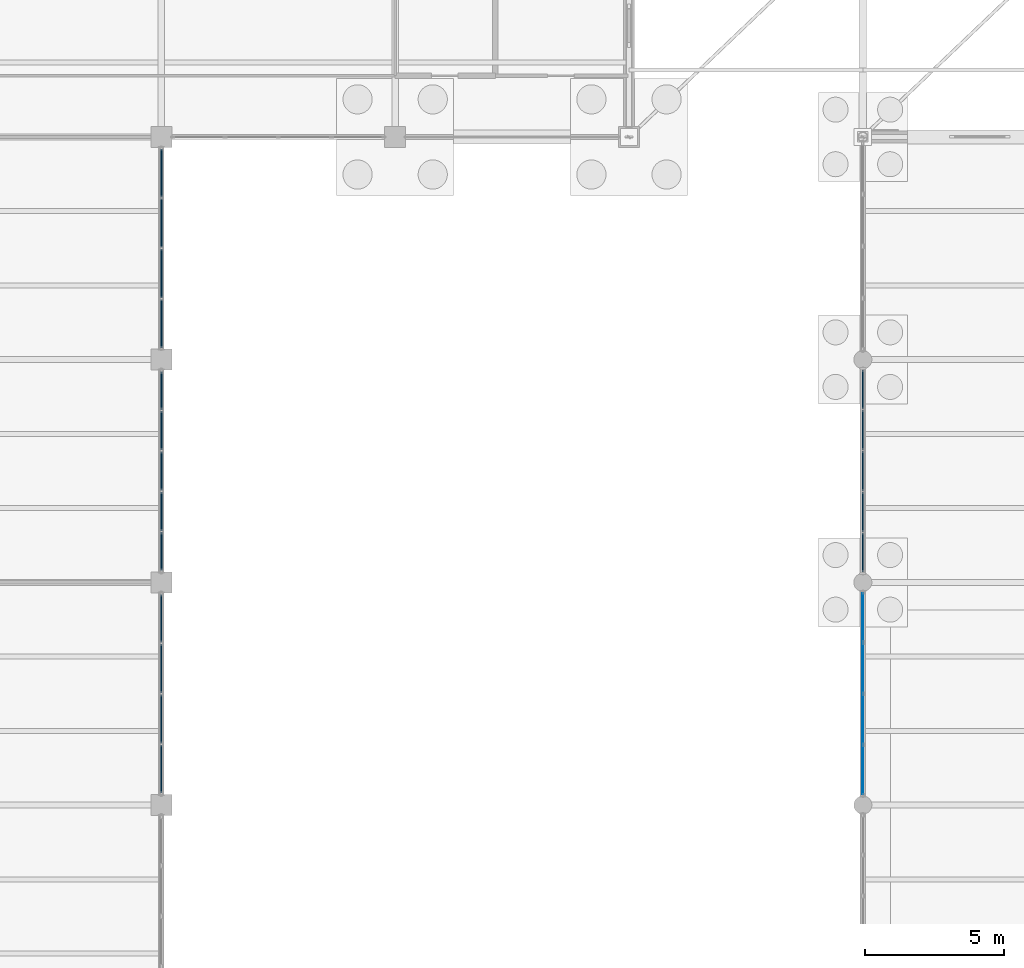
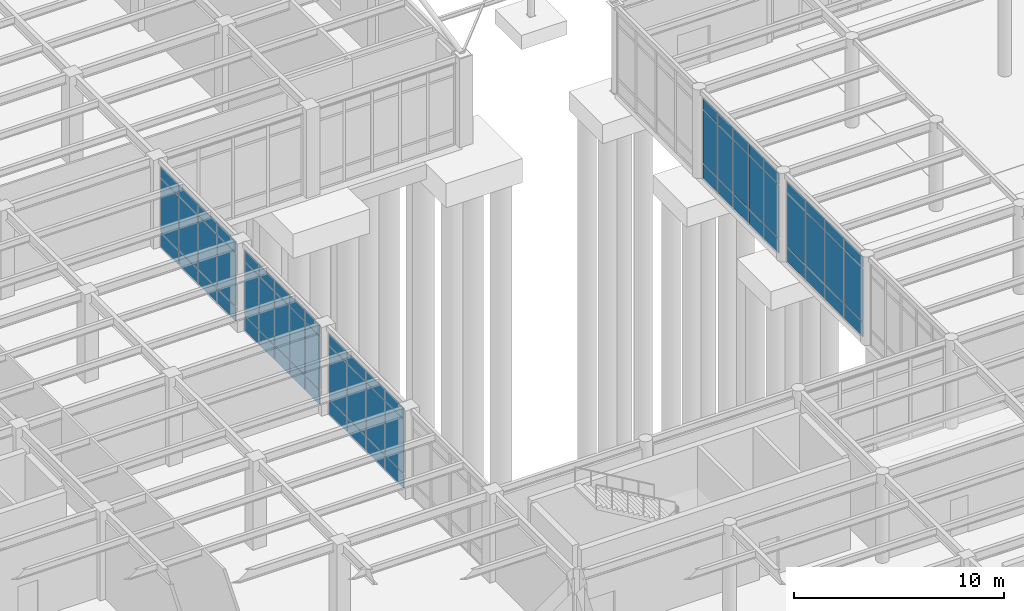
# One storey, part 68 of 138: 66 plates, 5 elements without a shape of their own.
"""IFC4 building model written with IfcOpenShell, lengths in metres."""

import ifcopenshell
import ifcopenshell.guid

model = None  # the IFC model being written
_history = None  # IfcOwnerHistory: only IFC2X3 demands one
_inside = {}  # id of a spatial element -> (the spatial element, [elements in it])
_under = {}  # id of a project, library or spatial element -> (it, [spatial elements below it])
_declared = {}  # id of a project -> (the project, [libraries it declares])
_typed = {}  # id of a type object -> (the type object, [elements of that type])
_made_of = {}  # id of a material, layer set ... -> (it, [elements and type objects made of it])


def new_model(schema):
    """Start an empty IFC model of exactly this schema.

    Asked for "IFC4X3", IfcOpenShell would pick the latest addendum, in which some entities
    have other attributes; the version numbers below select the first issue.
    IFC2X3 requires an IfcOwnerHistory on every rooted entity: one is made here for all.
    """
    global model, _history
    if schema == "IFC4X3":
        model = ifcopenshell.file(schema_version=(4, 3, 0, 0))
    else:
        model = ifcopenshell.file(schema=schema)
    _inside.clear()
    _under.clear()
    _declared.clear()
    _typed.clear()
    _made_of.clear()
    _history = None
    if model.schema == "IFC2X3":
        org = make("IfcOrganization", Name="unknown")
        user = make(
            "IfcPersonAndOrganization",
            ThePerson=make("IfcPerson", FamilyName="unknown"),
            TheOrganization=org,
        )
        app = make(
            "IfcApplication",
            ApplicationDeveloper=org,
            Version="unknown",
            ApplicationFullName="unknown",
            ApplicationIdentifier="unknown",
        )
        _history = make(
            "IfcOwnerHistory",
            OwningUser=user,
            OwningApplication=app,
            ChangeAction="ADDED",
            CreationDate=0,
        )
    return model


def make(cls, **values):
    """One entity of the class cls with the attributes given. An attribute that is None is left unset."""
    return model.create_entity(
        cls, **{name: value for name, value in values.items() if value is not None}
    )


def rooted(cls, **values):
    """An entity with a GlobalId (a new one), such as an element, a storey or a relation."""
    return make(cls, GlobalId=ifcopenshell.guid.new(), OwnerHistory=_history, **values)


def si_unit(unit_type, name, prefix=None):
    """IfcSIUnit, for example si_unit("LENGTHUNIT", "METRE", prefix="MILLI")."""
    return make("IfcSIUnit", UnitType=unit_type, Prefix=prefix, Name=name)


def assignment(units):
    """IfcUnitAssignment: the units of a project."""
    return None if units is None else make("IfcUnitAssignment", Units=units)


def point(xyz):
    """IfcCartesianPoint."""
    return None if xyz is None else make("IfcCartesianPoint", Coordinates=xyz)


def direction(xyz):
    """IfcDirection."""
    return None if xyz is None else make("IfcDirection", DirectionRatios=xyz)


def frame(location, z_axis=None, x_axis=None):
    """IfcAxis2Placement3D, a coordinate frame: its origin and axes. An axis left out is left unset."""
    return make(
        "IfcAxis2Placement3D",
        Location=point(location),
        Axis=direction(z_axis),
        RefDirection=direction(x_axis),
    )


def frame_2d(location, x_axis=None):
    """IfcAxis2Placement2D, a coordinate frame in the plane: its origin and x axis."""
    return make(
        "IfcAxis2Placement2D", Location=point(location), RefDirection=direction(x_axis)
    )


def origin():
    """The frame at (0, 0, 0) with its axes left unset."""
    return frame((0.0, 0.0, 0.0))


def origin_2d():
    """The frame at (0, 0) in the plane with its x axis left unset."""
    return frame_2d((0.0, 0.0))


def place(relative_to, where):
    """IfcLocalPlacement: puts the frame where relative to a parent placement (None: the world)."""
    return make(
        "IfcLocalPlacement", PlacementRelTo=relative_to, RelativePlacement=where
    )


def context(
    kind, dimensions, precision=None, world=None, true_north=None, identifier=None
):
    """IfcGeometricRepresentationContext, for example the 3D "Model" context."""
    return make(
        "IfcGeometricRepresentationContext",
        ContextIdentifier=identifier,
        ContextType=kind,
        CoordinateSpaceDimension=dimensions,
        Precision=precision,
        WorldCoordinateSystem=world,
        TrueNorth=true_north,
    )


def subcontext(parent, identifier, kind, view, scale=None):
    """IfcGeometricRepresentationSubContext, for example "Body" below "Model"."""
    return make(
        "IfcGeometricRepresentationSubContext",
        ContextIdentifier=identifier,
        ContextType=kind,
        ParentContext=parent,
        TargetScale=scale,
        TargetView=view,
    )


def project(units=None, contexts=None):
    """IfcProject with its units and contexts."""
    return rooted(
        "IfcProject",
        Name="project",
        RepresentationContexts=contexts,
        UnitsInContext=assignment(units),
    )


def spatial(cls, under=None, at=None, **own):
    """A site, building, storey or space (cls), placed at a placement, below another one or the project."""
    s = rooted(cls, ObjectPlacement=at, **own)
    if under is not None:
        _under.setdefault(under.id(), (under, []))[1].append(s)
    return s


def profile(cls, at=None, kind="AREA", **sizes):
    """A parametric profile (cls). Its sizes go by their IFC names, for example OverallWidth=200.0."""
    return make(cls, ProfileType=kind, Position=at, **sizes)


def rectangle(**sizes):
    """IfcRectangleProfileDef."""
    return profile("IfcRectangleProfileDef", **sizes)


def extrude(swept, where, along, depth):
    """IfcExtrudedAreaSolid: the profile swept, set in the frame where, extruded along a direction by depth."""
    return make(
        "IfcExtrudedAreaSolid",
        SweptArea=swept,
        Position=where,
        ExtrudedDirection=direction(along),
        Depth=depth,
    )


def shape(context_of_items, identifier, shape_type, items):
    """IfcShapeRepresentation: the items that make up one representation, for example the "Body"."""
    return make(
        "IfcShapeRepresentation",
        ContextOfItems=context_of_items,
        RepresentationIdentifier=identifier,
        RepresentationType=shape_type,
        Items=items,
    )


def material(Name=None, Category=None):
    """IfcMaterial."""
    return make("IfcMaterial", Name=Name, Category=Category)


def layer(
    of_material, thickness, ventilated=None, Name=None, Category=None, Priority=None
):
    """IfcMaterialLayer: one layer of a wall or slab, of a material (None: an air gap)."""
    return make(
        "IfcMaterialLayer",
        Material=of_material,
        LayerThickness=thickness,
        IsVentilated=ventilated,
        Name=Name,
        Category=Category,
        Priority=Priority,
    )


def layer_set(layers, Name=None):
    """IfcMaterialLayerSet."""
    return make("IfcMaterialLayerSet", MaterialLayers=layers, LayerSetName=Name)


def made_of(thing, what):
    """Note that an element or type object is made of a material, layer set ...; save() writes the relation."""
    if what is not None:
        _made_of.setdefault(what.id(), (what, []))[1].append(thing)
    return thing


def type_object(cls, material=None, **own):
    """A type object (cls), such as IfcWallType, which elements share."""
    return made_of(rooted(cls, **own), material)


def element(
    cls,
    number,
    at=None,
    inside=None,
    cuts=None,
    type_object=None,
    material=None,
    context=None,
    identifier="Body",
    shape_type=None,
    held_by="IfcProductDefinitionShape",
    body=None,
    shapes=None,
    **own,
):
    """One element of the class cls, such as IfcWall. Its Tag is "e" and its number.

    at: its placement. inside: the storey or other place that contains it. cuts: it is an
    opening in that element (IfcRelVoidsElement). A single representation is given by context,
    identifier, shape_type and body (its items); several are given by shapes. held_by: the class
    of the entity that holds the representations. save() writes the other relations.
    """
    e = rooted(cls, Tag="e%d" % number, ObjectPlacement=at, **own)
    if body is not None:
        shapes = [shape(context, identifier, shape_type, body)]
    if shapes is not None:
        e.Representation = make(held_by, Representations=shapes)
    if inside is not None:
        _inside.setdefault(inside.id(), (inside, []))[1].append(e)
    if cuts is not None:
        rooted(
            "IfcRelVoidsElement", RelatingBuildingElement=cuts, RelatedOpeningElement=e
        )
    if type_object is not None:
        _typed.setdefault(type_object.id(), (type_object, []))[1].append(e)
    return made_of(e, material)


def aggregate(whole, parts):
    """IfcRelAggregates: a whole, such as a stair, and the parts it consists of."""
    return rooted("IfcRelAggregates", RelatingObject=whole, RelatedObjects=parts)


def save(model, path):
    """Write the relations noted so far, then the file.

    IfcRelAggregates (storeys below a building ...), IfcRelContainedInSpatialStructure (elements
    in a storey), IfcRelDefinesByType, IfcRelAssociatesMaterial and IfcRelDeclares: one each for
    every whole, place, type object, material and project.
    """
    for whole, parts in _under.values():
        aggregate(whole, parts)
    for where, things in _inside.values():
        rooted(
            "IfcRelContainedInSpatialStructure",
            RelatedElements=things,
            RelatingStructure=where,
        )
    for kind, things in _typed.values():
        rooted("IfcRelDefinesByType", RelatedObjects=things, RelatingType=kind)
    for what, things in _made_of.values():
        rooted("IfcRelAssociatesMaterial", RelatedObjects=things, RelatingMaterial=what)
    for by, libraries in _declared.values():
        rooted("IfcRelDeclares", RelatingContext=by, RelatedDefinitions=libraries)
    model.write(path)


model = new_model("IFC4")

# Units and contexts
model_context = context("Model", 3, precision=1e-05, world=origin(), true_north=direction((0.0, 1.0)))
body_context = subcontext(model_context, "Body", "Model", "MODEL_VIEW")
ifc_project = project(units=[si_unit("LENGTHUNIT", "METRE"), si_unit("AREAUNIT", "SQUARE_METRE"), si_unit("VOLUMEUNIT", "CUBIC_METRE"), si_unit("PLANEANGLEUNIT", "RADIAN"), si_unit("MASSUNIT", "GRAM", prefix="KILO")], contexts=[model_context])

# Site, building, storey
site_placement = place(None, origin())
site = spatial("IfcSite", under=ifc_project, at=site_placement, CompositionType="ELEMENT")
building_placement = place(site_placement, origin())
building = spatial("IfcBuilding", under=site, at=building_placement, Name="Kranzveld Transit Interchange", CompositionType="ELEMENT")
storey_placement = place(building_placement, origin())
storey = spatial("IfcBuildingStorey", under=building, at=storey_placement, Name="L00", CompositionType="ELEMENT", Elevation=0.0)

# Curtain wall, plates
ifc_material_1 = material(Name="Bronze-anodised thermally broken aluminium", Category="aluminium")
ifc_layer_1 = layer(ifc_material_1, 0.159912109375)
ifc_layer_set_1 = layer_set([ifc_layer_1], Name="Bronze-anodised thermally broken aluminium")
curtain_wall_type_1 = type_object("IfcCurtainWallType", Name="Bus Boarding Glazed Screen CW-3", PredefinedType="USERDEFINED", material=ifc_layer_set_1)
curtain_wall_1_placement = place(storey_placement, origin())
curtain_wall_1 = element("IfcCurtainWall", 1, at=curtain_wall_1_placement, inside=storey, type_object=curtain_wall_type_1, Name="L00 Curtain Wall 08/J-08/K", ObjectType="CURTAIN WALL", PredefinedType="USERDEFINED")
ifc_material_2 = material(Name="Solar-control double glazing", Category="glass")
ifc_layer_2 = layer(ifc_material_2, 0.031982421875)
ifc_layer_set_2 = layer_set([ifc_layer_2], Name="Solar-control double glazing")
plate_type_1 = type_object("IfcPlateType", Name="Curtain Panel Acoustic Glazing 32", PredefinedType="CURTAIN_PANEL", material=ifc_layer_set_2)
plate_1_placement = place(storey_placement, frame((58.800048828125, 65.2587890625, 0.06005859375), z_axis=(0.0, 0.0, 1.0), x_axis=(0.0, 1.0, 0.0)))
plate_1 = element("IfcPlate", 2, at=plate_1_placement, type_object=plate_type_1, Name="CW-3 panel 1.1", PredefinedType="CURTAIN_PANEL", context=body_context, shape_type="SweptSolid", body=[
    extrude(rectangle(XDim=1.74755859375, YDim=0.031982421875, at=origin_2d()), origin(), (0.0, 0.0, 1.0), 0.81005859375),
])
plate_2_placement = place(storey_placement, frame((58.800048828125, 65.2587890625, 0.929931640625), z_axis=(0.0, 0.0, 1.0), x_axis=(0.0, 1.0, 0.0)))
plate_2 = element("IfcPlate", 3, at=plate_2_placement, type_object=plate_type_1, Name="CW-3 panel 1.2", PredefinedType="CURTAIN_PANEL", context=body_context, shape_type="SweptSolid", body=[
    extrude(rectangle(XDim=1.74755859375, YDim=0.031982421875, at=origin_2d()), origin(), (0.0, 0.0, 1.0), 3.08740234375),
])
plate_3_placement = place(storey_placement, frame((58.800048828125, 65.2587890625, 4.0771484375), z_axis=(0.0, 0.0, 1.0), x_axis=(0.0, 1.0, 0.0)))
plate_3 = element("IfcPlate", 4, at=plate_3_placement, type_object=plate_type_1, Name="CW-3 panel 1.3", PredefinedType="CURTAIN_PANEL", context=body_context, shape_type="SweptSolid", body=[
    extrude(rectangle(XDim=1.74755859375, YDim=0.031982421875, at=origin_2d()), origin(), (0.0, 0.0, 1.0), 0.610107421875),
])
plate_4_placement = place(storey_placement, frame((58.800048828125, 67.081298828125, 0.06005859375), z_axis=(0.0, 0.0, 1.0), x_axis=(0.0, 1.0, 0.0)))
plate_4 = element("IfcPlate", 5, at=plate_4_placement, type_object=plate_type_1, Name="CW-3 panel 2.1", PredefinedType="CURTAIN_PANEL", context=body_context, shape_type="SweptSolid", body=[
    extrude(rectangle(XDim=1.777587890625, YDim=0.031982421875, at=origin_2d()), origin(), (0.0, 0.0, 1.0), 0.81005859375),
])
plate_5_placement = place(storey_placement, frame((58.800048828125, 67.081298828125, 0.929931640625), z_axis=(0.0, 0.0, 1.0), x_axis=(0.0, 1.0, 0.0)))
plate_5 = element("IfcPlate", 6, at=plate_5_placement, type_object=plate_type_1, Name="CW-3 panel 2.2", PredefinedType="CURTAIN_PANEL", context=body_context, shape_type="SweptSolid", body=[
    extrude(rectangle(XDim=1.777587890625, YDim=0.031982421875, at=origin_2d()), origin(), (0.0, 0.0, 1.0), 3.08740234375),
])
plate_6_placement = place(storey_placement, frame((58.800048828125, 67.081298828125, 4.0771484375), z_axis=(0.0, 0.0, 1.0), x_axis=(0.0, 1.0, 0.0)))
plate_6 = element("IfcPlate", 7, at=plate_6_placement, type_object=plate_type_1, Name="CW-3 panel 2.3", PredefinedType="CURTAIN_PANEL", context=body_context, shape_type="SweptSolid", body=[
    extrude(rectangle(XDim=1.777587890625, YDim=0.031982421875, at=origin_2d()), origin(), (0.0, 0.0, 1.0), 0.610107421875),
])
plate_7_placement = place(storey_placement, frame((58.800048828125, 68.918701171875, 0.06005859375), z_axis=(0.0, 0.0, 1.0), x_axis=(0.0, 1.0, 0.0)))
plate_7 = element("IfcPlate", 8, at=plate_7_placement, type_object=plate_type_1, Name="CW-3 panel 3.1", PredefinedType="CURTAIN_PANEL", context=body_context, shape_type="SweptSolid", body=[
    extrude(rectangle(XDim=1.777587890625, YDim=0.031982421875, at=origin_2d()), origin(), (0.0, 0.0, 1.0), 0.81005859375),
])
plate_8_placement = place(storey_placement, frame((58.800048828125, 68.918701171875, 0.929931640625), z_axis=(0.0, 0.0, 1.0), x_axis=(0.0, 1.0, 0.0)))
plate_8 = element("IfcPlate", 9, at=plate_8_placement, type_object=plate_type_1, Name="CW-3 panel 3.2", PredefinedType="CURTAIN_PANEL", context=body_context, shape_type="SweptSolid", body=[
    extrude(rectangle(XDim=1.777587890625, YDim=0.031982421875, at=origin_2d()), origin(), (0.0, 0.0, 1.0), 3.08740234375),
])
plate_9_placement = place(storey_placement, frame((58.800048828125, 68.918701171875, 4.0771484375), z_axis=(0.0, 0.0, 1.0), x_axis=(0.0, 1.0, 0.0)))
plate_9 = element("IfcPlate", 10, at=plate_9_placement, type_object=plate_type_1, Name="CW-3 panel 3.3", PredefinedType="CURTAIN_PANEL", context=body_context, shape_type="SweptSolid", body=[
    extrude(rectangle(XDim=1.777587890625, YDim=0.031982421875, at=origin_2d()), origin(), (0.0, 0.0, 1.0), 0.610107421875),
])
plate_10_placement = place(storey_placement, frame((58.800048828125, 70.7412109375, 0.06005859375), z_axis=(0.0, 0.0, 1.0), x_axis=(0.0, 1.0, 0.0)))
plate_10 = element("IfcPlate", 11, at=plate_10_placement, type_object=plate_type_1, Name="CW-3 panel 4.1", PredefinedType="CURTAIN_PANEL", context=body_context, shape_type="SweptSolid", body=[
    extrude(rectangle(XDim=1.74755859375, YDim=0.031982421875, at=origin_2d()), origin(), (0.0, 0.0, 1.0), 0.81005859375),
])
plate_11_placement = place(storey_placement, frame((58.800048828125, 70.7412109375, 0.929931640625), z_axis=(0.0, 0.0, 1.0), x_axis=(0.0, 1.0, 0.0)))
plate_11 = element("IfcPlate", 12, at=plate_11_placement, type_object=plate_type_1, Name="CW-3 panel 4.2", PredefinedType="CURTAIN_PANEL", context=body_context, shape_type="SweptSolid", body=[
    extrude(rectangle(XDim=1.74755859375, YDim=0.031982421875, at=origin_2d()), origin(), (0.0, 0.0, 1.0), 3.08740234375),
])
plate_12_placement = place(storey_placement, frame((58.800048828125, 70.7412109375, 4.0771484375), z_axis=(0.0, 0.0, 1.0), x_axis=(0.0, 1.0, 0.0)))
plate_12 = element("IfcPlate", 13, at=plate_12_placement, type_object=plate_type_1, Name="CW-3 panel 4.3", PredefinedType="CURTAIN_PANEL", context=body_context, shape_type="SweptSolid", body=[
    extrude(rectangle(XDim=1.74755859375, YDim=0.031982421875, at=origin_2d()), origin(), (0.0, 0.0, 1.0), 0.610107421875),
])
aggregate(curtain_wall_1, [plate_1, plate_2, plate_3, plate_4, plate_5, plate_6, plate_7, plate_8, plate_9, plate_10, plate_11, plate_12])

ifc_material_3 = material(Name="Bronze-anodised thermally broken aluminium", Category="aluminium")
ifc_layer_3 = layer(ifc_material_3, 0.14990234375)
ifc_layer_set_3 = layer_set([ifc_layer_3], Name="Bronze-anodised thermally broken aluminium")
curtain_wall_type_2 = type_object("IfcCurtainWallType", Name="Public Passage Clerestory Screen CW-4", PredefinedType="USERDEFINED", material=ifc_layer_set_3)
curtain_wall_2_placement = place(storey_placement, origin())
curtain_wall_2 = element("IfcCurtainWall", 14, at=curtain_wall_2_placement, inside=storey, type_object=curtain_wall_type_2, Name="L00 Curtain Wall 08/K-08/L", ObjectType="CURTAIN WALL", PredefinedType="USERDEFINED")
ifc_material_4 = material(Name="Solar-control double glazing", Category="glass")
ifc_layer_4 = layer(ifc_material_4, 0.0419921875)
ifc_layer_set_4 = layer_set([ifc_layer_4], Name="Solar-control double glazing")
plate_type_2 = type_object("IfcPlateType", Name="Curtain Panel Laminated Glazing 42", PredefinedType="CURTAIN_PANEL", material=ifc_layer_set_4)
plate_13_placement = place(storey_placement, frame((58.800048828125, 73.074951171875, 0.06005859375), z_axis=(0.0, 0.0, 1.0), x_axis=(0.0, 1.0, 0.0)))
plate_13 = element("IfcPlate", 15, at=plate_13_placement, type_object=plate_type_2, Name="CW-4 panel 1.1", PredefinedType="CURTAIN_PANEL", context=body_context, shape_type="SweptSolid", body=[
    extrude(rectangle(XDim=1.3798828125, YDim=0.0419921875, at=origin_2d()), origin(), (0.0, 0.0, 1.0), 0.81005859375),
])
plate_14_placement = place(storey_placement, frame((58.800048828125, 73.074951171875, 0.929931640625), z_axis=(0.0, 0.0, 1.0), x_axis=(0.0, 1.0, 0.0)))
plate_14 = element("IfcPlate", 16, at=plate_14_placement, type_object=plate_type_2, Name="CW-4 panel 1.2", PredefinedType="CURTAIN_PANEL", context=body_context, shape_type="SweptSolid", body=[
    extrude(rectangle(XDim=1.3798828125, YDim=0.0419921875, at=origin_2d()), origin(), (0.0, 0.0, 1.0), 3.08740234375),
])
plate_15_placement = place(storey_placement, frame((58.800048828125, 73.074951171875, 4.0771484375), z_axis=(0.0, 0.0, 1.0), x_axis=(0.0, 1.0, 0.0)))
plate_15 = element("IfcPlate", 17, at=plate_15_placement, type_object=plate_type_2, Name="CW-4 panel 1.3", PredefinedType="CURTAIN_PANEL", context=body_context, shape_type="SweptSolid", body=[
    extrude(rectangle(XDim=1.3798828125, YDim=0.0419921875, at=origin_2d()), origin(), (0.0, 0.0, 1.0), 0.610107421875),
])
plate_16_placement = place(storey_placement, frame((58.800048828125, 74.530029296875, 0.06005859375), z_axis=(0.0, 0.0, 1.0), x_axis=(0.0, 1.0, 0.0)))
plate_16 = element("IfcPlate", 18, at=plate_16_placement, type_object=plate_type_2, Name="CW-4 panel 2.1", PredefinedType="CURTAIN_PANEL", context=body_context, shape_type="SweptSolid", body=[
    extrude(rectangle(XDim=1.409912109375, YDim=0.0419921875, at=origin_2d()), origin(), (0.0, 0.0, 1.0), 0.81005859375),
])
plate_17_placement = place(storey_placement, frame((58.800048828125, 74.530029296875, 0.929931640625), z_axis=(0.0, 0.0, 1.0), x_axis=(0.0, 1.0, 0.0)))
plate_17 = element("IfcPlate", 19, at=plate_17_placement, type_object=plate_type_2, Name="CW-4 panel 2.2", PredefinedType="CURTAIN_PANEL", context=body_context, shape_type="SweptSolid", body=[
    extrude(rectangle(XDim=1.409912109375, YDim=0.0419921875, at=origin_2d()), origin(), (0.0, 0.0, 1.0), 3.08740234375),
])
plate_18_placement = place(storey_placement, frame((58.800048828125, 74.530029296875, 4.0771484375), z_axis=(0.0, 0.0, 1.0), x_axis=(0.0, 1.0, 0.0)))
plate_18 = element("IfcPlate", 20, at=plate_18_placement, type_object=plate_type_2, Name="CW-4 panel 2.3", PredefinedType="CURTAIN_PANEL", context=body_context, shape_type="SweptSolid", body=[
    extrude(rectangle(XDim=1.409912109375, YDim=0.0419921875, at=origin_2d()), origin(), (0.0, 0.0, 1.0), 0.610107421875),
])
plate_19_placement = place(storey_placement, frame((58.800048828125, 76.0, 0.06005859375), z_axis=(0.0, 0.0, 1.0), x_axis=(0.0, 1.0, 0.0)))
plate_19 = element("IfcPlate", 21, at=plate_19_placement, type_object=plate_type_2, Name="CW-4 panel 3.1", PredefinedType="CURTAIN_PANEL", context=body_context, shape_type="SweptSolid", body=[
    extrude(rectangle(XDim=1.409912109375, YDim=0.0419921875, at=origin_2d()), origin(), (0.0, 0.0, 1.0), 0.81005859375),
])
plate_20_placement = place(storey_placement, frame((58.800048828125, 76.0, 0.929931640625), z_axis=(0.0, 0.0, 1.0), x_axis=(0.0, 1.0, 0.0)))
plate_20 = element("IfcPlate", 22, at=plate_20_placement, type_object=plate_type_2, Name="CW-4 panel 3.2", PredefinedType="CURTAIN_PANEL", context=body_context, shape_type="SweptSolid", body=[
    extrude(rectangle(XDim=1.409912109375, YDim=0.0419921875, at=origin_2d()), origin(), (0.0, 0.0, 1.0), 3.08740234375),
])
plate_21_placement = place(storey_placement, frame((58.800048828125, 76.0, 4.0771484375), z_axis=(0.0, 0.0, 1.0), x_axis=(0.0, 1.0, 0.0)))
plate_21 = element("IfcPlate", 23, at=plate_21_placement, type_object=plate_type_2, Name="CW-4 panel 3.3", PredefinedType="CURTAIN_PANEL", context=body_context, shape_type="SweptSolid", body=[
    extrude(rectangle(XDim=1.409912109375, YDim=0.0419921875, at=origin_2d()), origin(), (0.0, 0.0, 1.0), 0.610107421875),
])
plate_22_placement = place(storey_placement, frame((58.800048828125, 77.469970703125, 0.06005859375), z_axis=(0.0, 0.0, 1.0), x_axis=(0.0, 1.0, 0.0)))
plate_22 = element("IfcPlate", 24, at=plate_22_placement, type_object=plate_type_2, Name="CW-4 panel 4.1", PredefinedType="CURTAIN_PANEL", context=body_context, shape_type="SweptSolid", body=[
    extrude(rectangle(XDim=1.409912109375, YDim=0.0419921875, at=origin_2d()), origin(), (0.0, 0.0, 1.0), 0.81005859375),
])
plate_23_placement = place(storey_placement, frame((58.800048828125, 77.469970703125, 0.929931640625), z_axis=(0.0, 0.0, 1.0), x_axis=(0.0, 1.0, 0.0)))
plate_23 = element("IfcPlate", 25, at=plate_23_placement, type_object=plate_type_2, Name="CW-4 panel 4.2", PredefinedType="CURTAIN_PANEL", context=body_context, shape_type="SweptSolid", body=[
    extrude(rectangle(XDim=1.409912109375, YDim=0.0419921875, at=origin_2d()), origin(), (0.0, 0.0, 1.0), 3.08740234375),
])
plate_24_placement = place(storey_placement, frame((58.800048828125, 77.469970703125, 4.0771484375), z_axis=(0.0, 0.0, 1.0), x_axis=(0.0, 1.0, 0.0)))
plate_24 = element("IfcPlate", 26, at=plate_24_placement, type_object=plate_type_2, Name="CW-4 panel 4.3", PredefinedType="CURTAIN_PANEL", context=body_context, shape_type="SweptSolid", body=[
    extrude(rectangle(XDim=1.409912109375, YDim=0.0419921875, at=origin_2d()), origin(), (0.0, 0.0, 1.0), 0.610107421875),
])
plate_25_placement = place(storey_placement, frame((58.800048828125, 78.925048828125, 0.06005859375), z_axis=(0.0, 0.0, 1.0), x_axis=(0.0, 1.0, 0.0)))
plate_25 = element("IfcPlate", 27, at=plate_25_placement, type_object=plate_type_2, Name="CW-4 panel 5.1", PredefinedType="CURTAIN_PANEL", context=body_context, shape_type="SweptSolid", body=[
    extrude(rectangle(XDim=1.3798828125, YDim=0.0419921875, at=origin_2d()), origin(), (0.0, 0.0, 1.0), 0.81005859375),
])
plate_26_placement = place(storey_placement, frame((58.800048828125, 78.925048828125, 0.929931640625), z_axis=(0.0, 0.0, 1.0), x_axis=(0.0, 1.0, 0.0)))
plate_26 = element("IfcPlate", 28, at=plate_26_placement, type_object=plate_type_2, Name="CW-4 panel 5.2", PredefinedType="CURTAIN_PANEL", context=body_context, shape_type="SweptSolid", body=[
    extrude(rectangle(XDim=1.3798828125, YDim=0.0419921875, at=origin_2d()), origin(), (0.0, 0.0, 1.0), 3.08740234375),
])
plate_27_placement = place(storey_placement, frame((58.800048828125, 78.925048828125, 4.0771484375), z_axis=(0.0, 0.0, 1.0), x_axis=(0.0, 1.0, 0.0)))
plate_27 = element("IfcPlate", 29, at=plate_27_placement, type_object=plate_type_2, Name="CW-4 panel 5.3", PredefinedType="CURTAIN_PANEL", context=body_context, shape_type="SweptSolid", body=[
    extrude(rectangle(XDim=1.3798828125, YDim=0.0419921875, at=origin_2d()), origin(), (0.0, 0.0, 1.0), 0.610107421875),
])
aggregate(curtain_wall_2, [plate_13, plate_14, plate_15, plate_16, plate_17, plate_18, plate_19, plate_20, plate_21, plate_22, plate_23, plate_24, plate_25, plate_26, plate_27])

ifc_material_5 = material(Name="Bronze-anodised thermally broken aluminium", Category="aluminium")
ifc_layer_5 = layer(ifc_material_5, 0.1650390625)
ifc_layer_set_5 = layer_set([ifc_layer_5], Name="Bronze-anodised thermally broken aluminium")
curtain_wall_type_3 = type_object("IfcCurtainWallType", Name="Sunny Court Arcade Curtain Wall CW-2", PredefinedType="USERDEFINED", material=ifc_layer_set_5)
curtain_wall_3_placement = place(storey_placement, origin())
curtain_wall_3 = element("IfcCurtainWall", 30, at=curtain_wall_3_placement, inside=storey, type_object=curtain_wall_type_3, Name="L00 Curtain Wall 05/K-05/L", ObjectType="CURTAIN WALL", PredefinedType="USERDEFINED")
ifc_material_6 = material(Name="Pretoria red-purple clinker clay face brick, 35 MPa", Category="masonry")
ifc_layer_6 = layer(ifc_material_6, 0.050048828125)
ifc_layer_set_6 = layer_set([ifc_layer_6], Name="Pretoria red-purple clinker clay face brick, 35 MPa")
plate_type_3 = type_object("IfcPlateType", Name="Curtain Spandrel Clinker Tile 50", PredefinedType="CURTAIN_PANEL", material=ifc_layer_set_6)
plate_28_placement = place(storey_placement, frame((33.60009765625, 73.1162109375, 0.06005859375), z_axis=(0.0, 0.0, 1.0), x_axis=(0.0, 1.0, 0.0)))
plate_28 = element("IfcPlate", 31, at=plate_28_placement, type_object=plate_type_3, Name="CW-2 panel 1.1", PredefinedType="CURTAIN_PANEL", context=body_context, shape_type="SweptSolid", body=[
    extrude(rectangle(XDim=1.3525390625, YDim=0.050048828125, at=origin_2d()), origin(), (0.0, 0.0, 1.0), 0.81005859375),
])
plate_29_placement = place(storey_placement, frame((33.60009765625, 73.1162109375, 0.929931640625), z_axis=(0.0, 0.0, 1.0), x_axis=(0.0, 1.0, 0.0)))
plate_29 = element("IfcPlate", 32, at=plate_29_placement, type_object=plate_type_3, Name="CW-2 panel 1.2", PredefinedType="CURTAIN_PANEL", context=body_context, shape_type="SweptSolid", body=[
    extrude(rectangle(XDim=1.3525390625, YDim=0.050048828125, at=origin_2d()), origin(), (0.0, 0.0, 1.0), 3.08740234375),
])
plate_30_placement = place(storey_placement, frame((33.60009765625, 73.1162109375, 4.0771484375), z_axis=(0.0, 0.0, 1.0), x_axis=(0.0, 1.0, 0.0)))
plate_30 = element("IfcPlate", 33, at=plate_30_placement, type_object=plate_type_3, Name="CW-2 panel 1.3", PredefinedType="CURTAIN_PANEL", context=body_context, shape_type="SweptSolid", body=[
    extrude(rectangle(XDim=1.3525390625, YDim=0.050048828125, at=origin_2d()), origin(), (0.0, 0.0, 1.0), 0.610107421875),
])
plate_31_placement = place(storey_placement, frame((33.60009765625, 74.550048828125, 0.06005859375), z_axis=(0.0, 0.0, 1.0), x_axis=(0.0, 1.0, 0.0)))
plate_31 = element("IfcPlate", 34, at=plate_31_placement, type_object=plate_type_3, Name="CW-2 panel 2.1", PredefinedType="CURTAIN_PANEL", context=body_context, shape_type="SweptSolid", body=[
    extrude(rectangle(XDim=1.385009765625, YDim=0.050048828125, at=origin_2d()), origin(), (0.0, 0.0, 1.0), 0.81005859375),
])
plate_32_placement = place(storey_placement, frame((33.60009765625, 74.550048828125, 0.929931640625), z_axis=(0.0, 0.0, 1.0), x_axis=(0.0, 1.0, 0.0)))
plate_32 = element("IfcPlate", 35, at=plate_32_placement, type_object=plate_type_3, Name="CW-2 panel 2.2", PredefinedType="CURTAIN_PANEL", context=body_context, shape_type="SweptSolid", body=[
    extrude(rectangle(XDim=1.385009765625, YDim=0.050048828125, at=origin_2d()), origin(), (0.0, 0.0, 1.0), 3.08740234375),
])
plate_33_placement = place(storey_placement, frame((33.60009765625, 74.550048828125, 4.0771484375), z_axis=(0.0, 0.0, 1.0), x_axis=(0.0, 1.0, 0.0)))
plate_33 = element("IfcPlate", 36, at=plate_33_placement, type_object=plate_type_3, Name="CW-2 panel 2.3", PredefinedType="CURTAIN_PANEL", context=body_context, shape_type="SweptSolid", body=[
    extrude(rectangle(XDim=1.385009765625, YDim=0.050048828125, at=origin_2d()), origin(), (0.0, 0.0, 1.0), 0.610107421875),
])
plate_34_placement = place(storey_placement, frame((33.60009765625, 76.0, 0.06005859375), z_axis=(0.0, 0.0, 1.0), x_axis=(0.0, 1.0, 0.0)))
plate_34 = element("IfcPlate", 37, at=plate_34_placement, type_object=plate_type_3, Name="CW-2 panel 3.1", PredefinedType="CURTAIN_PANEL", context=body_context, shape_type="SweptSolid", body=[
    extrude(rectangle(XDim=1.385009765625, YDim=0.050048828125, at=origin_2d()), origin(), (0.0, 0.0, 1.0), 0.81005859375),
])
plate_35_placement = place(storey_placement, frame((33.60009765625, 76.0, 0.929931640625), z_axis=(0.0, 0.0, 1.0), x_axis=(0.0, 1.0, 0.0)))
plate_35 = element("IfcPlate", 38, at=plate_35_placement, type_object=plate_type_3, Name="CW-2 panel 3.2", PredefinedType="CURTAIN_PANEL", context=body_context, shape_type="SweptSolid", body=[
    extrude(rectangle(XDim=1.385009765625, YDim=0.050048828125, at=origin_2d()), origin(), (0.0, 0.0, 1.0), 3.08740234375),
])
plate_36_placement = place(storey_placement, frame((33.60009765625, 76.0, 4.0771484375), z_axis=(0.0, 0.0, 1.0), x_axis=(0.0, 1.0, 0.0)))
plate_36 = element("IfcPlate", 39, at=plate_36_placement, type_object=plate_type_3, Name="CW-2 panel 3.3", PredefinedType="CURTAIN_PANEL", context=body_context, shape_type="SweptSolid", body=[
    extrude(rectangle(XDim=1.385009765625, YDim=0.050048828125, at=origin_2d()), origin(), (0.0, 0.0, 1.0), 0.610107421875),
])
plate_37_placement = place(storey_placement, frame((33.60009765625, 77.449951171875, 0.06005859375), z_axis=(0.0, 0.0, 1.0), x_axis=(0.0, 1.0, 0.0)))
plate_37 = element("IfcPlate", 40, at=plate_37_placement, type_object=plate_type_3, Name="CW-2 panel 4.1", PredefinedType="CURTAIN_PANEL", context=body_context, shape_type="SweptSolid", body=[
    extrude(rectangle(XDim=1.385009765625, YDim=0.050048828125, at=origin_2d()), origin(), (0.0, 0.0, 1.0), 0.81005859375),
])
plate_38_placement = place(storey_placement, frame((33.60009765625, 77.449951171875, 0.929931640625), z_axis=(0.0, 0.0, 1.0), x_axis=(0.0, 1.0, 0.0)))
plate_38 = element("IfcPlate", 41, at=plate_38_placement, type_object=plate_type_3, Name="CW-2 panel 4.2", PredefinedType="CURTAIN_PANEL", context=body_context, shape_type="SweptSolid", body=[
    extrude(rectangle(XDim=1.385009765625, YDim=0.050048828125, at=origin_2d()), origin(), (0.0, 0.0, 1.0), 3.08740234375),
])
plate_39_placement = place(storey_placement, frame((33.60009765625, 77.449951171875, 4.0771484375), z_axis=(0.0, 0.0, 1.0), x_axis=(0.0, 1.0, 0.0)))
plate_39 = element("IfcPlate", 42, at=plate_39_placement, type_object=plate_type_3, Name="CW-2 panel 4.3", PredefinedType="CURTAIN_PANEL", context=body_context, shape_type="SweptSolid", body=[
    extrude(rectangle(XDim=1.385009765625, YDim=0.050048828125, at=origin_2d()), origin(), (0.0, 0.0, 1.0), 0.610107421875),
])
plate_40_placement = place(storey_placement, frame((33.60009765625, 78.8837890625, 0.06005859375), z_axis=(0.0, 0.0, 1.0), x_axis=(0.0, 1.0, 0.0)))
plate_40 = element("IfcPlate", 43, at=plate_40_placement, type_object=plate_type_3, Name="CW-2 panel 5.1", PredefinedType="CURTAIN_PANEL", context=body_context, shape_type="SweptSolid", body=[
    extrude(rectangle(XDim=1.3525390625, YDim=0.050048828125, at=origin_2d()), origin(), (0.0, 0.0, 1.0), 0.81005859375),
])
plate_41_placement = place(storey_placement, frame((33.60009765625, 78.8837890625, 0.929931640625), z_axis=(0.0, 0.0, 1.0), x_axis=(0.0, 1.0, 0.0)))
plate_41 = element("IfcPlate", 44, at=plate_41_placement, type_object=plate_type_3, Name="CW-2 panel 5.2", PredefinedType="CURTAIN_PANEL", context=body_context, shape_type="SweptSolid", body=[
    extrude(rectangle(XDim=1.3525390625, YDim=0.050048828125, at=origin_2d()), origin(), (0.0, 0.0, 1.0), 3.08740234375),
])
plate_42_placement = place(storey_placement, frame((33.60009765625, 78.8837890625, 4.0771484375), z_axis=(0.0, 0.0, 1.0), x_axis=(0.0, 1.0, 0.0)))
plate_42 = element("IfcPlate", 45, at=plate_42_placement, type_object=plate_type_3, Name="CW-2 panel 5.3", PredefinedType="CURTAIN_PANEL", context=body_context, shape_type="SweptSolid", body=[
    extrude(rectangle(XDim=1.3525390625, YDim=0.050048828125, at=origin_2d()), origin(), (0.0, 0.0, 1.0), 0.610107421875),
])
aggregate(curtain_wall_3, [plate_28, plate_29, plate_30, plate_31, plate_32, plate_33, plate_34, plate_35, plate_36, plate_37, plate_38, plate_39, plate_40, plate_41, plate_42])

curtain_wall_4_placement = place(storey_placement, origin())
curtain_wall_4 = element("IfcCurtainWall", 46, at=curtain_wall_4_placement, inside=storey, type_object=curtain_wall_type_1, Name="L00 Curtain Wall 05/L-05/M", ObjectType="CURTAIN WALL", PredefinedType="USERDEFINED")
ifc_material_7 = material(Name="Bronze-anodised thermally broken aluminium", Category="aluminium")
ifc_layer_7 = layer(ifc_material_7, 0.053955078125)
ifc_layer_set_7 = layer_set([ifc_layer_7], Name="Bronze-anodised thermally broken aluminium")
plate_type_4 = type_object("IfcPlateType", Name="Curtain Spandrel Insulated Alu 54", PredefinedType="CURTAIN_PANEL", material=ifc_layer_set_7)
plate_43_placement = place(storey_placement, frame((33.60009765625, 81.296142578125, 0.06494140625), z_axis=(0.0, 0.0, 1.0), x_axis=(0.0, 1.0, 0.0)))
plate_43 = element("IfcPlate", 47, at=plate_43_placement, type_object=plate_type_4, Name="CW-3 panel 1.1", PredefinedType="CURTAIN_PANEL", context=body_context, shape_type="SweptSolid", body=[
    extrude(rectangle(XDim=1.722412109375, YDim=0.053955078125, at=origin_2d()), origin(), (0.0, 0.0, 1.0), 0.802490234375),
])
plate_44_placement = place(storey_placement, frame((33.60009765625, 81.296142578125, 0.932373046875), z_axis=(0.0, 0.0, 1.0), x_axis=(0.0, 1.0, 0.0)))
plate_44 = element("IfcPlate", 48, at=plate_44_placement, type_object=plate_type_4, Name="CW-3 panel 1.2", PredefinedType="CURTAIN_PANEL", context=body_context, shape_type="SweptSolid", body=[
    extrude(rectangle(XDim=1.722412109375, YDim=0.053955078125, at=origin_2d()), origin(), (0.0, 0.0, 1.0), 3.08251953125),
])
plate_45_placement = place(storey_placement, frame((33.60009765625, 81.296142578125, 4.079833984375), z_axis=(0.0, 0.0, 1.0), x_axis=(0.0, 1.0, 0.0)))
plate_45 = element("IfcPlate", 49, at=plate_45_placement, type_object=plate_type_4, Name="CW-3 panel 1.3", PredefinedType="CURTAIN_PANEL", context=body_context, shape_type="SweptSolid", body=[
    extrude(rectangle(XDim=1.722412109375, YDim=0.053955078125, at=origin_2d()), origin(), (0.0, 0.0, 1.0), 0.6025390625),
])
plate_46_placement = place(storey_placement, frame((33.60009765625, 83.09375, 0.06494140625), z_axis=(0.0, 0.0, 1.0), x_axis=(0.0, 1.0, 0.0)))
plate_46 = element("IfcPlate", 50, at=plate_46_placement, type_object=plate_type_4, Name="CW-3 panel 2.1", PredefinedType="CURTAIN_PANEL", context=body_context, shape_type="SweptSolid", body=[
    extrude(rectangle(XDim=1.75244140625, YDim=0.053955078125, at=origin_2d()), origin(), (0.0, 0.0, 1.0), 0.802490234375),
])
plate_47_placement = place(storey_placement, frame((33.60009765625, 83.09375, 0.932373046875), z_axis=(0.0, 0.0, 1.0), x_axis=(0.0, 1.0, 0.0)))
plate_47 = element("IfcPlate", 51, at=plate_47_placement, type_object=plate_type_4, Name="CW-3 panel 2.2", PredefinedType="CURTAIN_PANEL", context=body_context, shape_type="SweptSolid", body=[
    extrude(rectangle(XDim=1.75244140625, YDim=0.053955078125, at=origin_2d()), origin(), (0.0, 0.0, 1.0), 3.08251953125),
])
plate_48_placement = place(storey_placement, frame((33.60009765625, 83.09375, 4.079833984375), z_axis=(0.0, 0.0, 1.0), x_axis=(0.0, 1.0, 0.0)))
plate_48 = element("IfcPlate", 52, at=plate_48_placement, type_object=plate_type_4, Name="CW-3 panel 2.3", PredefinedType="CURTAIN_PANEL", context=body_context, shape_type="SweptSolid", body=[
    extrude(rectangle(XDim=1.75244140625, YDim=0.053955078125, at=origin_2d()), origin(), (0.0, 0.0, 1.0), 0.6025390625),
])
plate_49_placement = place(storey_placement, frame((33.60009765625, 84.90625, 0.06494140625), z_axis=(0.0, 0.0, 1.0), x_axis=(0.0, 1.0, 0.0)))
plate_49 = element("IfcPlate", 53, at=plate_49_placement, type_object=plate_type_4, Name="CW-3 panel 3.1", PredefinedType="CURTAIN_PANEL", context=body_context, shape_type="SweptSolid", body=[
    extrude(rectangle(XDim=1.75244140625, YDim=0.053955078125, at=origin_2d()), origin(), (0.0, 0.0, 1.0), 0.802490234375),
])
plate_50_placement = place(storey_placement, frame((33.60009765625, 84.90625, 0.932373046875), z_axis=(0.0, 0.0, 1.0), x_axis=(0.0, 1.0, 0.0)))
plate_50 = element("IfcPlate", 54, at=plate_50_placement, type_object=plate_type_4, Name="CW-3 panel 3.2", PredefinedType="CURTAIN_PANEL", context=body_context, shape_type="SweptSolid", body=[
    extrude(rectangle(XDim=1.75244140625, YDim=0.053955078125, at=origin_2d()), origin(), (0.0, 0.0, 1.0), 3.08251953125),
])
plate_51_placement = place(storey_placement, frame((33.60009765625, 84.90625, 4.079833984375), z_axis=(0.0, 0.0, 1.0), x_axis=(0.0, 1.0, 0.0)))
plate_51 = element("IfcPlate", 55, at=plate_51_placement, type_object=plate_type_4, Name="CW-3 panel 3.3", PredefinedType="CURTAIN_PANEL", context=body_context, shape_type="SweptSolid", body=[
    extrude(rectangle(XDim=1.75244140625, YDim=0.053955078125, at=origin_2d()), origin(), (0.0, 0.0, 1.0), 0.6025390625),
])
plate_52_placement = place(storey_placement, frame((33.60009765625, 86.703857421875, 0.06494140625), z_axis=(0.0, 0.0, 1.0), x_axis=(0.0, 1.0, 0.0)))
plate_52 = element("IfcPlate", 56, at=plate_52_placement, type_object=plate_type_4, Name="CW-3 panel 4.1", PredefinedType="CURTAIN_PANEL", context=body_context, shape_type="SweptSolid", body=[
    extrude(rectangle(XDim=1.722412109375, YDim=0.053955078125, at=origin_2d()), origin(), (0.0, 0.0, 1.0), 0.802490234375),
])
plate_53_placement = place(storey_placement, frame((33.60009765625, 86.703857421875, 0.932373046875), z_axis=(0.0, 0.0, 1.0), x_axis=(0.0, 1.0, 0.0)))
plate_53 = element("IfcPlate", 57, at=plate_53_placement, type_object=plate_type_4, Name="CW-3 panel 4.2", PredefinedType="CURTAIN_PANEL", context=body_context, shape_type="SweptSolid", body=[
    extrude(rectangle(XDim=1.722412109375, YDim=0.053955078125, at=origin_2d()), origin(), (0.0, 0.0, 1.0), 3.08251953125),
])
plate_54_placement = place(storey_placement, frame((33.60009765625, 86.703857421875, 4.079833984375), z_axis=(0.0, 0.0, 1.0), x_axis=(0.0, 1.0, 0.0)))
plate_54 = element("IfcPlate", 58, at=plate_54_placement, type_object=plate_type_4, Name="CW-3 panel 4.3", PredefinedType="CURTAIN_PANEL", context=body_context, shape_type="SweptSolid", body=[
    extrude(rectangle(XDim=1.722412109375, YDim=0.053955078125, at=origin_2d()), origin(), (0.0, 0.0, 1.0), 0.6025390625),
])
aggregate(curtain_wall_4, [plate_43, plate_44, plate_45, plate_46, plate_47, plate_48, plate_49, plate_50, plate_51, plate_52, plate_53, plate_54])

ifc_material_8 = material(Name="Bronze-anodised thermally broken aluminium", Category="aluminium")
ifc_layer_8 = layer(ifc_material_8, 0.155029296875)
ifc_layer_set_8 = layer_set([ifc_layer_8], Name="Bronze-anodised thermally broken aluminium")
curtain_wall_type_4 = type_object("IfcCurtainWallType", Name="Operations Courtyard Glazed Screen CW-6", PredefinedType="USERDEFINED", material=ifc_layer_set_8)
curtain_wall_5_placement = place(storey_placement, origin())
curtain_wall_5 = element("IfcCurtainWall", 59, at=curtain_wall_5_placement, inside=storey, type_object=curtain_wall_type_4, Name="L00 Curtain Wall 05/J-05/K", ObjectType="CURTAIN WALL", PredefinedType="USERDEFINED")
ifc_material_9 = material(Name="Ochre Pretoria sandstone cladding, 45 MPa", Category="masonry")
ifc_layer_9 = layer(ifc_material_9, 0.0458984375)
ifc_layer_set_9 = layer_set([ifc_layer_9], Name="Ochre Pretoria sandstone cladding, 45 MPa")
plate_type_5 = type_object("IfcPlateType", Name="Curtain Spandrel Sandstone 46", PredefinedType="CURTAIN_PANEL", material=ifc_layer_set_9)
plate_55_placement = place(storey_placement, frame((33.60009765625, 65.297607421875, 0.06005859375), z_axis=(0.0, 0.0, 1.0), x_axis=(0.0, 1.0, 0.0)))
plate_55 = element("IfcPlate", 60, at=plate_55_placement, type_object=plate_type_5, Name="CW-6 panel 1.1", PredefinedType="CURTAIN_PANEL", context=body_context, shape_type="SweptSolid", body=[
    extrude(rectangle(XDim=1.715087890625, YDim=0.0458984375, at=origin_2d()), origin(), (0.0, 0.0, 1.0), 0.81005859375),
])
plate_56_placement = place(storey_placement, frame((33.60009765625, 65.297607421875, 0.929931640625), z_axis=(0.0, 0.0, 1.0), x_axis=(0.0, 1.0, 0.0)))
plate_56 = element("IfcPlate", 61, at=plate_56_placement, type_object=plate_type_5, Name="CW-6 panel 1.2", PredefinedType="CURTAIN_PANEL", context=body_context, shape_type="SweptSolid", body=[
    extrude(rectangle(XDim=1.715087890625, YDim=0.0458984375, at=origin_2d()), origin(), (0.0, 0.0, 1.0), 3.08740234375),
])
plate_57_placement = place(storey_placement, frame((33.60009765625, 65.297607421875, 4.0771484375), z_axis=(0.0, 0.0, 1.0), x_axis=(0.0, 1.0, 0.0)))
plate_57 = element("IfcPlate", 62, at=plate_57_placement, type_object=plate_type_5, Name="CW-6 panel 1.3", PredefinedType="CURTAIN_PANEL", context=body_context, shape_type="SweptSolid", body=[
    extrude(rectangle(XDim=1.715087890625, YDim=0.0458984375, at=origin_2d()), origin(), (0.0, 0.0, 1.0), 0.610107421875),
])
plate_58_placement = place(storey_placement, frame((33.60009765625, 67.09375, 0.06005859375), z_axis=(0.0, 0.0, 1.0), x_axis=(0.0, 1.0, 0.0)))
plate_58 = element("IfcPlate", 63, at=plate_58_placement, type_object=plate_type_5, Name="CW-6 panel 2.1", PredefinedType="CURTAIN_PANEL", context=body_context, shape_type="SweptSolid", body=[
    extrude(rectangle(XDim=1.74755859375, YDim=0.0458984375, at=origin_2d()), origin(), (0.0, 0.0, 1.0), 0.81005859375),
])
plate_59_placement = place(storey_placement, frame((33.60009765625, 67.09375, 0.929931640625), z_axis=(0.0, 0.0, 1.0), x_axis=(0.0, 1.0, 0.0)))
plate_59 = element("IfcPlate", 64, at=plate_59_placement, type_object=plate_type_5, Name="CW-6 panel 2.2", PredefinedType="CURTAIN_PANEL", context=body_context, shape_type="SweptSolid", body=[
    extrude(rectangle(XDim=1.74755859375, YDim=0.0458984375, at=origin_2d()), origin(), (0.0, 0.0, 1.0), 3.08740234375),
])
plate_60_placement = place(storey_placement, frame((33.60009765625, 67.09375, 4.0771484375), z_axis=(0.0, 0.0, 1.0), x_axis=(0.0, 1.0, 0.0)))
plate_60 = element("IfcPlate", 65, at=plate_60_placement, type_object=plate_type_5, Name="CW-6 panel 2.3", PredefinedType="CURTAIN_PANEL", context=body_context, shape_type="SweptSolid", body=[
    extrude(rectangle(XDim=1.74755859375, YDim=0.0458984375, at=origin_2d()), origin(), (0.0, 0.0, 1.0), 0.610107421875),
])
plate_61_placement = place(storey_placement, frame((33.60009765625, 68.90625, 0.06005859375), z_axis=(0.0, 0.0, 1.0), x_axis=(0.0, 1.0, 0.0)))
plate_61 = element("IfcPlate", 66, at=plate_61_placement, type_object=plate_type_5, Name="CW-6 panel 3.1", PredefinedType="CURTAIN_PANEL", context=body_context, shape_type="SweptSolid", body=[
    extrude(rectangle(XDim=1.74755859375, YDim=0.0458984375, at=origin_2d()), origin(), (0.0, 0.0, 1.0), 0.81005859375),
])
plate_62_placement = place(storey_placement, frame((33.60009765625, 68.90625, 0.929931640625), z_axis=(0.0, 0.0, 1.0), x_axis=(0.0, 1.0, 0.0)))
plate_62 = element("IfcPlate", 67, at=plate_62_placement, type_object=plate_type_5, Name="CW-6 panel 3.2", PredefinedType="CURTAIN_PANEL", context=body_context, shape_type="SweptSolid", body=[
    extrude(rectangle(XDim=1.74755859375, YDim=0.0458984375, at=origin_2d()), origin(), (0.0, 0.0, 1.0), 3.08740234375),
])
plate_63_placement = place(storey_placement, frame((33.60009765625, 68.90625, 4.0771484375), z_axis=(0.0, 0.0, 1.0), x_axis=(0.0, 1.0, 0.0)))
plate_63 = element("IfcPlate", 68, at=plate_63_placement, type_object=plate_type_5, Name="CW-6 panel 3.3", PredefinedType="CURTAIN_PANEL", context=body_context, shape_type="SweptSolid", body=[
    extrude(rectangle(XDim=1.74755859375, YDim=0.0458984375, at=origin_2d()), origin(), (0.0, 0.0, 1.0), 0.610107421875),
])
plate_64_placement = place(storey_placement, frame((33.60009765625, 70.702392578125, 0.06005859375), z_axis=(0.0, 0.0, 1.0), x_axis=(0.0, 1.0, 0.0)))
plate_64 = element("IfcPlate", 69, at=plate_64_placement, type_object=plate_type_5, Name="CW-6 panel 4.1", PredefinedType="CURTAIN_PANEL", context=body_context, shape_type="SweptSolid", body=[
    extrude(rectangle(XDim=1.715087890625, YDim=0.0458984375, at=origin_2d()), origin(), (0.0, 0.0, 1.0), 0.81005859375),
])
plate_65_placement = place(storey_placement, frame((33.60009765625, 70.702392578125, 0.929931640625), z_axis=(0.0, 0.0, 1.0), x_axis=(0.0, 1.0, 0.0)))
plate_65 = element("IfcPlate", 70, at=plate_65_placement, type_object=plate_type_5, Name="CW-6 panel 4.2", PredefinedType="CURTAIN_PANEL", context=body_context, shape_type="SweptSolid", body=[
    extrude(rectangle(XDim=1.715087890625, YDim=0.0458984375, at=origin_2d()), origin(), (0.0, 0.0, 1.0), 3.08740234375),
])
plate_66_placement = place(storey_placement, frame((33.60009765625, 70.702392578125, 4.0771484375), z_axis=(0.0, 0.0, 1.0), x_axis=(0.0, 1.0, 0.0)))
plate_66 = element("IfcPlate", 71, at=plate_66_placement, type_object=plate_type_5, Name="CW-6 panel 4.3", PredefinedType="CURTAIN_PANEL", context=body_context, shape_type="SweptSolid", body=[
    extrude(rectangle(XDim=1.715087890625, YDim=0.0458984375, at=origin_2d()), origin(), (0.0, 0.0, 1.0), 0.610107421875),
])
aggregate(curtain_wall_5, [plate_55, plate_56, plate_57, plate_58, plate_59, plate_60, plate_61, plate_62, plate_63, plate_64, plate_65, plate_66])

save(model, "model.ifc")
